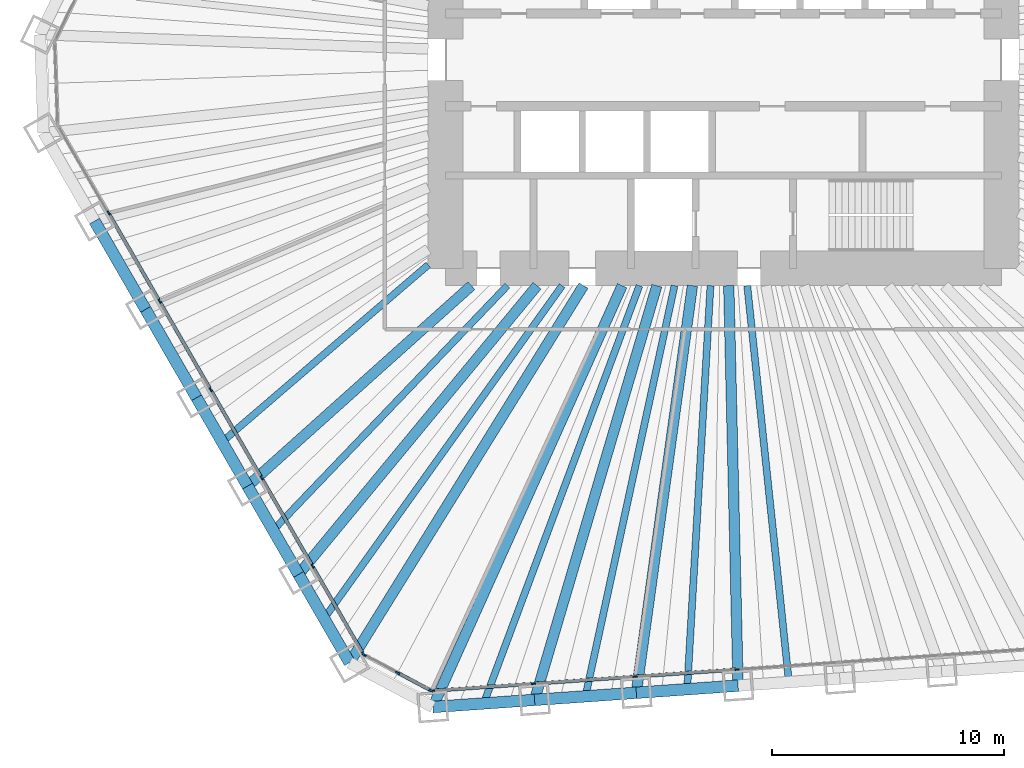
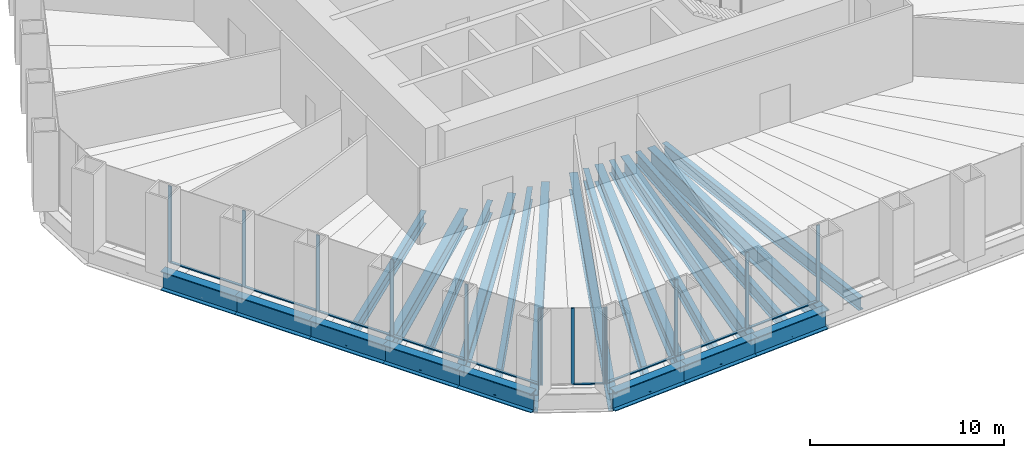
# One storey, part 2 of 13: 22 beams, 22 members, 3 elements without a shape of their own.
"""IFC4 building model written with IfcOpenShell, lengths in metres."""

from ifc_helpers import new_model, si_unit, direction, frame, origin, origin_2d, place, context, subcontext, project, spatial, rectangle, i_section, extrude, material, material_profile, profile_set, type_object, element, aggregate, save


model = new_model("IFC4")

# Units and contexts
model_context = context("Model", 3, precision=1e-05, world=origin(), true_north=direction((0.0, 1.0)))
body_context = subcontext(model_context, "Body", "Model", "MODEL_VIEW")
ifc_project = project(units=[si_unit("LENGTHUNIT", "METRE"), si_unit("AREAUNIT", "SQUARE_METRE"), si_unit("VOLUMEUNIT", "CUBIC_METRE"), si_unit("PLANEANGLEUNIT", "RADIAN"), si_unit("MASSUNIT", "GRAM", prefix="KILO")], contexts=[model_context])

# Site, building, storey
site_placement = place(None, origin())
site = spatial("IfcSite", under=ifc_project, at=site_placement, CompositionType="ELEMENT")
building_placement = place(site_placement, origin())
building = spatial("IfcBuilding", under=site, at=building_placement, Name="Qingtian Harvest Tower", CompositionType="ELEMENT")
storey_placement = place(building_placement, frame((0.0, 0.0, 37.0)))
storey = spatial("IfcBuildingStorey", under=building, at=storey_placement, Name="L07", CompositionType="ELEMENT", Elevation=37.0)

# Beams
ifc_material_1 = material(Name="Steel SM570MC", Category="steel")
ifc_material_profile_1 = material_profile(ifc_material_1, i_section(OverallWidth=0.449951171875, OverallDepth=1.10009765625, WebThickness=0.02197265625, FlangeThickness=0.044921875, at=origin_2d()), Name="H1100x450x22x45")
ifc_profile_set_1 = profile_set([ifc_material_profile_1], Name="Steel SM570MC")
beam_type_1 = type_object("IfcBeamType", Name="Corner floor beam FB8 H1100x450x22x45", PredefinedType="BEAM", material=ifc_profile_set_1)
beam_1_placement = place(storey_placement, frame((-12.552734375, -27.943603515625, -0.75), z_axis=(0.409769605538, 0.912189054077, 0.0), x_axis=(-0.912189054077, 0.409769605538, 0.0)))
element("IfcBeam", 1, at=beam_1_placement, inside=storey, type_object=beam_type_1, Name="Floor beam FB8 S6", PredefinedType="BEAM", context=body_context, shape_type="SweptSolid", body=[
    extrude(i_section(OverallWidth=0.449951171875, OverallDepth=1.10009765625, WebThickness=0.02197265625, FlangeThickness=0.044921875, at=origin_2d()), origin(), (0.0, 0.0, 1.0), 19.945068359375),
])
beam_2_placement = place(storey_placement, frame((-16.14697265625, -26.03271484375, -0.75), z_axis=(0.5270935495, 0.849807266429, 0.0), x_axis=(-0.849807266429, 0.5270935495, 0.0)))
element("IfcBeam", 2, at=beam_2_placement, inside=storey, type_object=beam_type_1, Name="Floor beam FB8 SW0", PredefinedType="BEAM", context=body_context, shape_type="SweptSolid", body=[
    extrude(i_section(OverallWidth=0.449951171875, OverallDepth=1.10009765625, WebThickness=0.02197265625, FlangeThickness=0.044921875, at=origin_2d()), origin(), (0.0, 0.0, 1.0), 19.160400390625),
])
ifc_material_2 = material(Name="Steel SM570MC", Category="steel")
ifc_material_profile_2 = material_profile(ifc_material_2, i_section(OverallWidth=0.449951171875, OverallDepth=1.10009765625, WebThickness=0.02197265625, FlangeThickness=0.044921875, at=origin_2d()), Name="H1100x450x22x45")
ifc_profile_set_2 = profile_set([ifc_material_profile_2], Name="Steel SM570MC")
beam_type_2 = type_object("IfcBeamType", Name="Floor beam FB1 H1100x450x22x45", PredefinedType="BEAM", material=ifc_profile_set_2)
beam_3_placement = place(storey_placement, frame((0.62890625, -27.02197265625, -0.75), z_axis=(-0.023274161941, 0.999729120005, 0.0), x_axis=(-0.999729120005, -0.023274161941, 0.0)))
element("IfcBeam", 3, at=beam_3_placement, inside=storey, type_object=beam_type_2, Name="Floor beam FB1 S3", PredefinedType="BEAM", context=body_context, shape_type="SweptSolid", body=[
    extrude(i_section(OverallWidth=0.449951171875, OverallDepth=1.10009765625, WebThickness=0.02197265625, FlangeThickness=0.044921875, at=origin_2d()), origin(), (0.0, 0.0, 1.0), 17.276611328125),
])
beam_4_placement = place(storey_placement, frame((-3.76513671875, -27.3291015625, -0.75), z_axis=(0.136480966577, 0.990642693287, 0.0), x_axis=(-0.990642693287, 0.136480966577, 0.0)))
element("IfcBeam", 4, at=beam_4_placement, inside=storey, type_object=beam_type_2, Name="Floor beam FB1 S4", PredefinedType="BEAM", context=body_context, shape_type="SweptSolid", body=[
    extrude(i_section(OverallWidth=0.449951171875, OverallDepth=1.10009765625, WebThickness=0.02197265625, FlangeThickness=0.044921875, at=origin_2d()), origin(), (0.0, 0.0, 1.0), 17.7451171875),
])
beam_5_placement = place(storey_placement, frame((-8.158935546875, -27.636474609375, -0.75), z_axis=(0.283142824758, 0.95907775534, 0.0), x_axis=(-0.95907775534, 0.283142824758, 0.0)))
element("IfcBeam", 5, at=beam_5_placement, inside=storey, type_object=beam_type_2, Name="Floor beam FB1 S5", PredefinedType="BEAM", context=body_context, shape_type="SweptSolid", body=[
    extrude(i_section(OverallWidth=0.449951171875, OverallDepth=1.10009765625, WebThickness=0.02197265625, FlangeThickness=0.044921875, at=origin_2d()), origin(), (0.0, 0.0, 1.0), 18.649658203125),
])
beam_6_placement = place(storey_placement, frame((-18.349365234375, -22.21826171875, -0.75), z_axis=(0.636780387972, 0.771045224026, 0.0), x_axis=(-0.771045224026, 0.636780387972, 0.0)))
element("IfcBeam", 6, at=beam_6_placement, inside=storey, type_object=beam_type_2, Name="Floor beam FB1 SW1", PredefinedType="BEAM", context=body_context, shape_type="SweptSolid", body=[
    extrude(i_section(OverallWidth=0.449951171875, OverallDepth=1.10009765625, WebThickness=0.02197265625, FlangeThickness=0.044921875, at=origin_2d()), origin(), (0.0, 0.0, 1.0), 16.170654296875),
])
beam_7_placement = place(storey_placement, frame((-20.551513671875, -18.403564453125, -0.75), z_axis=(0.744965104975, 0.667103434536, 0.0), x_axis=(-0.667103434536, 0.744965104975, 0.0)))
element("IfcBeam", 7, at=beam_7_placement, inside=storey, type_object=beam_type_2, Name="Floor beam FB1 SW2", PredefinedType="BEAM", context=body_context, shape_type="SweptSolid", body=[
    extrude(i_section(OverallWidth=0.449951171875, OverallDepth=1.10009765625, WebThickness=0.02197265625, FlangeThickness=0.044921875, at=origin_2d()), origin(), (0.0, 0.0, 1.0), 12.971923828125),
])
ifc_material_3 = material(Name="Steel SN490B", Category="steel")
ifc_material_profile_3 = material_profile(ifc_material_3, i_section(OverallWidth=0.300048828125, OverallDepth=0.800048828125, WebThickness=0.013916015625, FlangeThickness=0.02587890625, at=origin_2d()), Name="H800x300x14x26")
ifc_profile_set_3 = profile_set([ifc_material_profile_3], Name="Steel SN490B")
beam_type_3 = type_object("IfcBeamType", Name="Floor joist J1 H800x300x14x26", PredefinedType="JOIST", material=ifc_profile_set_3)
beam_8_placement = place(storey_placement, frame((2.82568359375, -26.868408203125, -0.60009765625), z_axis=(-0.104590278152, 0.99451539642, 0.0), x_axis=(-0.99451539642, -0.104590278152, 0.0)))
element("IfcBeam", 8, at=beam_8_placement, inside=storey, type_object=beam_type_3, Name="Floor joist J1 S2", PredefinedType="JOIST", context=body_context, shape_type="SweptSolid", body=[
    extrude(i_section(OverallWidth=0.300048828125, OverallDepth=0.800048828125, WebThickness=0.013916015625, FlangeThickness=0.02587890625, at=origin_2d()), origin(), (0.0, 0.0, 1.0), 17.212890625),
])
beam_9_placement = place(storey_placement, frame((-1.568115234375, -27.175537109375, -0.60009765625), z_axis=(0.057613424947, 0.998338967118, 0.0), x_axis=(-0.998338967118, 0.057613424947, 0.0)))
element("IfcBeam", 9, at=beam_9_placement, inside=storey, type_object=beam_type_3, Name="Floor joist J1 S3", PredefinedType="JOIST", context=body_context, shape_type="SweptSolid", body=[
    extrude(i_section(OverallWidth=0.300048828125, OverallDepth=0.800048828125, WebThickness=0.013916015625, FlangeThickness=0.02587890625, at=origin_2d()), origin(), (0.0, 0.0, 1.0), 17.45458984375),
])
beam_10_placement = place(storey_placement, frame((-5.9619140625, -27.48291015625, -0.60009765625), z_axis=(0.211992805661, 0.977271226604, 0.0), x_axis=(-0.977271226604, 0.211992805661, 0.0)))
element("IfcBeam", 10, at=beam_10_placement, inside=storey, type_object=beam_type_3, Name="Floor joist J1 S4", PredefinedType="JOIST", context=body_context, shape_type="SweptSolid", body=[
    extrude(i_section(OverallWidth=0.300048828125, OverallDepth=0.800048828125, WebThickness=0.013916015625, FlangeThickness=0.02587890625, at=origin_2d()), origin(), (0.0, 0.0, 1.0), 18.145263671875),
])
beam_11_placement = place(storey_placement, frame((-10.35595703125, -27.7900390625, -0.60009765625), z_axis=(0.349193741063, 0.937050548905, 0.0), x_axis=(-0.937050548905, 0.349193741063, 0.0)))
element("IfcBeam", 11, at=beam_11_placement, inside=storey, type_object=beam_type_3, Name="Floor joist J1 S5", PredefinedType="JOIST", context=body_context, shape_type="SweptSolid", body=[
    extrude(i_section(OverallWidth=0.300048828125, OverallDepth=0.800048828125, WebThickness=0.013916015625, FlangeThickness=0.02587890625, at=origin_2d()), origin(), (0.0, 0.0, 1.0), 19.251953125),
])
beam_12_placement = place(storey_placement, frame((-17.248046875, -24.12548828125, -0.60009765625), z_axis=(0.581580544546, 0.81348882611, 0.0), x_axis=(-0.81348882611, 0.581580544546, 0.0)))
element("IfcBeam", 12, at=beam_12_placement, inside=storey, type_object=beam_type_3, Name="Floor joist J1 SW0", PredefinedType="JOIST", context=body_context, shape_type="SweptSolid", body=[
    extrude(i_section(OverallWidth=0.300048828125, OverallDepth=0.800048828125, WebThickness=0.013916015625, FlangeThickness=0.02587890625, at=origin_2d()), origin(), (0.0, 0.0, 1.0), 17.67138671875),
])
beam_13_placement = place(storey_placement, frame((-19.450439453125, -20.31103515625, -0.60009765625), z_axis=(0.691639144398, 0.722243237377, 0.0), x_axis=(-0.722243237377, 0.691639144398, 0.0)))
element("IfcBeam", 13, at=beam_13_placement, inside=storey, type_object=beam_type_3, Name="Floor joist J1 SW1", PredefinedType="JOIST", context=body_context, shape_type="SweptSolid", body=[
    extrude(i_section(OverallWidth=0.300048828125, OverallDepth=0.800048828125, WebThickness=0.013916015625, FlangeThickness=0.02587890625, at=origin_2d()), origin(), (0.0, 0.0, 1.0), 14.62255859375),
])
beam_14_placement = place(storey_placement, frame((-21.652587890625, -16.496337890625, -0.60009765625), z_axis=(0.758605680154, 0.651550014994, 0.0), x_axis=(-0.651550014994, 0.758605680154, 0.0)))
element("IfcBeam", 14, at=beam_14_placement, inside=storey, type_object=beam_type_3, Name="Floor joist J1 SW2", PredefinedType="JOIST", context=body_context, shape_type="SweptSolid", body=[
    extrude(i_section(OverallWidth=0.300048828125, OverallDepth=0.800048828125, WebThickness=0.013916015625, FlangeThickness=0.02587890625, at=origin_2d()), origin(), (0.0, 0.0, 1.0), 11.7353515625),
])

# Curtain wall, members
ifc_material_4 = material(Name="Bronze-anodised aluminium curtain wall", Category="aluminium")
curtain_wall_type = type_object("IfcCurtainWallType", Name="Curtain wall CW2 farm reception", PredefinedType="USERDEFINED", material=ifc_material_4)
curtain_wall_1_placement = place(storey_placement, origin())
curtain_wall_1 = element("IfcCurtainWall", 15, at=curtain_wall_1_placement, inside=storey, type_object=curtain_wall_type, Name="Curtain wall CW2 L07 S0-5", ObjectType="RECESSED CURTAIN WALL", PredefinedType="USERDEFINED")
ifc_material_5 = material(Name="Bronze-anodised aluminium mullion", Category="aluminium")
ifc_material_profile_4 = material_profile(ifc_material_5, rectangle(XDim=0.06494140625, YDim=0.199951171875, at=origin_2d()), Name="AL 65x200")
ifc_profile_set_4 = profile_set([ifc_material_profile_4], Name="Bronze-anodised aluminium mullion")
member_type_1 = type_object("IfcMemberType", Name="Mullion CWM 65x200", PredefinedType="MULLION", material=ifc_profile_set_4)
member_1_placement = place(storey_placement, frame((0.580078125, -26.32373046875, 0.0), z_axis=(0.0, 0.0, 1.0), x_axis=(0.069756473744, -0.99756405026, 0.0)))
member_1 = element("IfcMember", 16, at=member_1_placement, type_object=member_type_1, Name="CW2 mullion 4", PredefinedType="MULLION", context=body_context, shape_type="SweptSolid", body=[
    extrude(rectangle(XDim=0.06494140625, YDim=0.199951171875, at=origin_2d()), origin(), (0.0, 0.0, 1.0), 4.800048828125),
])
member_2_placement = place(storey_placement, frame((-3.81396484375, -26.630859375, 0.0), z_axis=(0.0, 0.0, 1.0), x_axis=(0.069756473744, -0.99756405026, 0.0)))
member_2 = element("IfcMember", 17, at=member_2_placement, type_object=member_type_1, Name="CW2 mullion 5", PredefinedType="MULLION", context=body_context, shape_type="SweptSolid", body=[
    extrude(rectangle(XDim=0.06494140625, YDim=0.199951171875, at=origin_2d()), origin(), (0.0, 0.0, 1.0), 4.800048828125),
])
member_3_placement = place(storey_placement, frame((-8.207763671875, -26.938232421875, 0.0), z_axis=(0.0, 0.0, 1.0), x_axis=(0.069756473744, -0.99756405026, 0.0)))
member_3 = element("IfcMember", 18, at=member_3_placement, type_object=member_type_1, Name="CW2 mullion 6", PredefinedType="MULLION", context=body_context, shape_type="SweptSolid", body=[
    extrude(rectangle(XDim=0.06494140625, YDim=0.199951171875, at=origin_2d()), origin(), (0.0, 0.0, 1.0), 4.800048828125),
])
member_4_placement = place(storey_placement, frame((-12.569091796875, -27.2431640625, 0.0), z_axis=(0.0, 0.0, 1.0), x_axis=(0.069756473744, -0.99756405026, 0.0)))
member_4 = element("IfcMember", 19, at=member_4_placement, type_object=member_type_1, Name="CW2 mullion 7", PredefinedType="MULLION", context=body_context, shape_type="SweptSolid", body=[
    extrude(rectangle(XDim=0.06494140625, YDim=0.199951171875, at=origin_2d()), origin(), (0.0, 0.0, 1.0), 4.800048828125),
])

curtain_wall_2_placement = place(storey_placement, origin())
curtain_wall_2 = element("IfcCurtainWall", 20, at=curtain_wall_2_placement, inside=storey, type_object=curtain_wall_type, Name="Curtain wall CW2 L07 SC", ObjectType="RECESSED CURTAIN WALL", PredefinedType="USERDEFINED")
member_5_placement = place(storey_placement, frame((-12.63037109375, -27.230224609375, 0.0), z_axis=(0.0, 0.0, 1.0), x_axis=(-0.469471562786, -0.882947592859, 0.0)))
member_5 = element("IfcMember", 21, at=member_5_placement, type_object=member_type_1, Name="CW2 mullion 1", PredefinedType="MULLION", context=body_context, shape_type="SweptSolid", body=[
    extrude(rectangle(XDim=0.06494140625, YDim=0.199951171875, at=origin_2d()), origin(), (0.0, 0.0, 1.0), 4.800048828125),
])
member_6_placement = place(storey_placement, frame((-14.0712890625, -26.464111328125, 0.0), z_axis=(0.0, 0.0, 1.0), x_axis=(-0.469471562786, -0.882947592859, 0.0)))
member_6 = element("IfcMember", 22, at=member_6_placement, type_object=member_type_1, Name="CW2 mullion 2", PredefinedType="MULLION", context=body_context, shape_type="SweptSolid", body=[
    extrude(rectangle(XDim=0.06494140625, YDim=0.199951171875, at=origin_2d()), origin(), (0.0, 0.0, 1.0), 4.800048828125),
])
member_7_placement = place(storey_placement, frame((-15.511962890625, -25.697998046875, 0.0), z_axis=(0.0, 0.0, 1.0), x_axis=(-0.469471562786, -0.882947592859, 0.0)))
member_7 = element("IfcMember", 23, at=member_7_placement, type_object=member_type_1, Name="CW2 mullion 3", PredefinedType="MULLION", context=body_context, shape_type="SweptSolid", body=[
    extrude(rectangle(XDim=0.06494140625, YDim=0.199951171875, at=origin_2d()), origin(), (0.0, 0.0, 1.0), 4.800048828125),
])

curtain_wall_3_placement = place(storey_placement, origin())
curtain_wall_3 = element("IfcCurtainWall", 24, at=curtain_wall_3_placement, inside=storey, type_object=curtain_wall_type, Name="Curtain wall CW2 L07 SW0-5", ObjectType="RECESSED CURTAIN WALL", PredefinedType="USERDEFINED")
member_8_placement = place(storey_placement, frame((-15.556884765625, -25.654541015625, 0.0), z_axis=(0.0, 0.0, 1.0), x_axis=(-0.866025403784, -0.5, 0.0)))
member_8 = element("IfcMember", 25, at=member_8_placement, type_object=member_type_1, Name="CW2 mullion 1", PredefinedType="MULLION", context=body_context, shape_type="SweptSolid", body=[
    extrude(rectangle(XDim=0.06494140625, YDim=0.199951171875, at=origin_2d()), origin(), (0.0, 0.0, 1.0), 4.800048828125),
])
member_9_placement = place(storey_placement, frame((-17.742919921875, -21.8681640625, 0.0), z_axis=(0.0, 0.0, 1.0), x_axis=(-0.866025403784, -0.5, 0.0)))
member_9 = element("IfcMember", 26, at=member_9_placement, type_object=member_type_1, Name="CW2 mullion 2", PredefinedType="MULLION", context=body_context, shape_type="SweptSolid", body=[
    extrude(rectangle(XDim=0.06494140625, YDim=0.199951171875, at=origin_2d()), origin(), (0.0, 0.0, 1.0), 4.800048828125),
])
member_10_placement = place(storey_placement, frame((-19.9453125, -18.0537109375, 0.0), z_axis=(0.0, 0.0, 1.0), x_axis=(-0.866025403784, -0.5, 0.0)))
member_10 = element("IfcMember", 27, at=member_10_placement, type_object=member_type_1, Name="CW2 mullion 3", PredefinedType="MULLION", context=body_context, shape_type="SweptSolid", body=[
    extrude(rectangle(XDim=0.06494140625, YDim=0.199951171875, at=origin_2d()), origin(), (0.0, 0.0, 1.0), 4.800048828125),
])
member_11_placement = place(storey_placement, frame((-22.147705078125, -14.2392578125, 0.0), z_axis=(0.0, 0.0, 1.0), x_axis=(-0.866025403784, -0.5, 0.0)))
member_11 = element("IfcMember", 28, at=member_11_placement, type_object=member_type_1, Name="CW2 mullion 4", PredefinedType="MULLION", context=body_context, shape_type="SweptSolid", body=[
    extrude(rectangle(XDim=0.06494140625, YDim=0.199951171875, at=origin_2d()), origin(), (0.0, 0.0, 1.0), 4.800048828125),
])
member_12_placement = place(storey_placement, frame((-24.349853515625, -10.424560546875, 0.0), z_axis=(0.0, 0.0, 1.0), x_axis=(-0.866025403784, -0.5, 0.0)))
member_12 = element("IfcMember", 29, at=member_12_placement, type_object=member_type_1, Name="CW2 mullion 5", PredefinedType="MULLION", context=body_context, shape_type="SweptSolid", body=[
    extrude(rectangle(XDim=0.06494140625, YDim=0.199951171875, at=origin_2d()), origin(), (0.0, 0.0, 1.0), 4.800048828125),
])
member_13_placement = place(storey_placement, frame((-26.55224609375, -6.610107421875, 0.0), z_axis=(0.0, 0.0, 1.0), x_axis=(-0.866025403784, -0.5, 0.0)))
member_13 = element("IfcMember", 30, at=member_13_placement, type_object=member_type_1, Name="CW2 mullion 6", PredefinedType="MULLION", context=body_context, shape_type="SweptSolid", body=[
    extrude(rectangle(XDim=0.06494140625, YDim=0.199951171875, at=origin_2d()), origin(), (0.0, 0.0, 1.0), 4.800048828125),
])

# Beams
ifc_material_6 = material(Name="Steel SM570MC", Category="steel")
ifc_material_profile_5 = material_profile(ifc_material_6, i_section(OverallWidth=0.5, OverallDepth=1.199951171875, WebThickness=0.02490234375, FlangeThickness=0.050048828125, at=origin_2d()), Name="H1200x500x25x50")
ifc_profile_set_5 = profile_set([ifc_material_profile_5], Name="Steel SM570MC")
beam_type_4 = type_object("IfcBeamType", Name="Spandrel beam SB1 H1200x500x25x50", PredefinedType="SPANDREL", material=ifc_profile_set_5)
beam_15_placement = place(storey_placement, frame((0.62890625, -27.02197265625, -0.60009765625), z_axis=(-0.997566143208, -0.069726536735, 0.0), x_axis=(0.069726536735, -0.997566143208, 0.0)))
element("IfcBeam", 31, at=beam_15_placement, inside=storey, type_object=beam_type_4, Name="Spandrel SB1 S3", PredefinedType="SPANDREL", context=body_context, shape_type="SweptSolid", body=[
    extrude(i_section(OverallWidth=0.5, OverallDepth=1.199951171875, WebThickness=0.02490234375, FlangeThickness=0.050048828125, at=origin_2d()), origin(), (0.0, 0.0, 1.0), 4.40478515625),
])
for number, where, z_axis, x_axis, name in (
    (32, (-3.76513671875, -27.3291015625, -0.60009765625), (-0.997562016486, -0.069785551967, 0.0), (0.069785551967, -0.997562016486, 0.0), "Spandrel SB1 S4"),
    (33, (-8.158935546875, -27.636474609375, -0.60009765625), (-0.997565873714, -0.069730392239, 0.0), (0.069730392239, -0.997565873714, 0.0), "Spandrel SB1 S5"),
    (34, (-16.14697265625, -26.03271484375, -0.60009765625), (-0.50001992892, 0.866013897511, 0.0), (-0.866013897511, -0.50001992892, 0.0), "Spandrel SB1 SW0"),
):
    element("IfcBeam", number, at=place(storey_placement, frame(where, z_axis=z_axis, x_axis=x_axis)), inside=storey, type_object=beam_type_4, Name=name, PredefinedType="SPANDREL", context=body_context, shape_type="SweptSolid", body=[
        extrude(i_section(OverallWidth=0.5, OverallDepth=1.199951171875, WebThickness=0.02490234375, FlangeThickness=0.050048828125, at=origin_2d()), origin(), (0.0, 0.0, 1.0), 4.404541015625),
    ])
beam_16_placement = place(storey_placement, frame((-18.349365234375, -22.21826171875, -0.60009765625), z_axis=(-0.499954356739, 0.86605175433, 0.0), x_axis=(-0.86605175433, -0.499954356739, 0.0)))
element("IfcBeam", 35, at=beam_16_placement, inside=storey, type_object=beam_type_4, Name="Spandrel SB1 SW1", PredefinedType="SPANDREL", context=body_context, shape_type="SweptSolid", body=[
    extrude(i_section(OverallWidth=0.5, OverallDepth=1.199951171875, WebThickness=0.02490234375, FlangeThickness=0.050048828125, at=origin_2d()), origin(), (0.0, 0.0, 1.0), 4.40478515625),
])
for number, where, z_axis, x_axis, name in (
    (36, (-20.551513671875, -18.403564453125, -0.60009765625), (-0.50001992892, 0.866013897511, 0.0), (-0.866013897511, -0.50001992892, 0.0), "Spandrel SB1 SW2"),
    (37, (-22.75390625, -14.589111328125, -0.60009765625), (-0.499978356969, 0.866037899034, 0.0), (-0.866037899034, -0.499978356969, 0.0), "Spandrel SB1 SW3"),
    (38, (-24.9560546875, -10.774658203125, -0.60009765625), (-0.50001992892, 0.866013897511, 0.0), (-0.866013897511, -0.50001992892, 0.0), "Spandrel SB1 SW4"),
):
    element("IfcBeam", number, at=place(storey_placement, frame(where, z_axis=z_axis, x_axis=x_axis)), inside=storey, type_object=beam_type_4, Name=name, PredefinedType="SPANDREL", context=body_context, shape_type="SweptSolid", body=[
        extrude(i_section(OverallWidth=0.5, OverallDepth=1.199951171875, WebThickness=0.02490234375, FlangeThickness=0.050048828125, at=origin_2d()), origin(), (0.0, 0.0, 1.0), 4.404541015625),
    ])

# Member
ifc_material_7 = material(Name="Bronze-anodised aluminium transom", Category="aluminium")
ifc_material_profile_6 = material_profile(ifc_material_7, rectangle(XDim=0.14990234375, YDim=0.06494140625, at=origin_2d()), Name="AL 65x150")
ifc_profile_set_6 = profile_set([ifc_material_profile_6], Name="Bronze-anodised aluminium transom")
member_type_2 = type_object("IfcMemberType", Name="Transom CWT 65x150", PredefinedType="USERDEFINED", material=ifc_profile_set_6)
member_14_placement = place(storey_placement, frame((0.547607421875, -26.325927734375, 0.032470703125), z_axis=(-0.997563824095, -0.069759707979, 0.0), x_axis=(0.069759707979, -0.997563824095, 0.0)))
member_14 = element("IfcMember", 39, at=member_14_placement, type_object=member_type_2, Name="CW2 transom 4.1", ObjectType="TRANSOM", PredefinedType="USERDEFINED", context=body_context, shape_type="SweptSolid", body=[
    extrude(rectangle(XDim=0.14990234375, YDim=0.06494140625, at=origin_2d()), origin(), (0.0, 0.0, 1.0), 4.339599609375),
])

member_15_placement = place(storey_placement, frame((-3.84619140625, -26.63330078125, 0.032470703125), z_axis=(-0.997567737508, -0.069703723594, 0.0), x_axis=(0.069703723594, -0.997567737508, 0.0)))
member_15 = element("IfcMember", 40, at=member_15_placement, type_object=member_type_2, Name="CW2 transom 5.1", ObjectType="TRANSOM", PredefinedType="USERDEFINED", context=body_context, shape_type="SweptSolid", body=[
    extrude(rectangle(XDim=0.14990234375, YDim=0.06494140625, at=origin_2d()), origin(), (0.0, 0.0, 1.0), 4.339599609375),
])

member_16_placement = place(storey_placement, frame((-8.240234375, -26.9404296875, 0.032470703125), z_axis=(-0.997562637827, -0.069776669536, 0.0), x_axis=(0.069776669536, -0.997562637827, 0.0)))
member_16 = element("IfcMember", 41, at=member_16_placement, type_object=member_type_2, Name="CW2 transom 6.1", ObjectType="TRANSOM", PredefinedType="USERDEFINED", context=body_context, shape_type="SweptSolid", body=[
    extrude(rectangle(XDim=0.14990234375, YDim=0.06494140625, at=origin_2d()), origin(), (0.0, 0.0, 1.0), 4.30712890625),
])

aggregate(curtain_wall_1, [member_1, member_2, member_3, member_4, member_14, member_15, member_16])

member_17_placement = place(storey_placement, frame((-12.658935546875, -27.21484375, 0.032470703125), z_axis=(-0.882960338349, 0.46944759122, 0.0), x_axis=(-0.46944759122, -0.882960338349, 0.0)))
member_17 = element("IfcMember", 42, at=member_17_placement, type_object=member_type_2, Name="CW2 transom 1.1", ObjectType="TRANSOM", PredefinedType="USERDEFINED", context=body_context, shape_type="SweptSolid", body=[
    extrude(rectangle(XDim=0.14990234375, YDim=0.06494140625, at=origin_2d()), origin(), (0.0, 0.0, 1.0), 1.56689453125),
])

aggregate(curtain_wall_2, [member_5, member_6, member_7, member_17])

member_18_placement = place(storey_placement, frame((-15.5732421875, -25.62646484375, 0.032470703125), z_axis=(-0.499985768833, 0.866033619997, 0.0), x_axis=(-0.866033619997, -0.499985768833, 0.0)))
member_18 = element("IfcMember", 43, at=member_18_placement, type_object=member_type_2, Name="CW2 transom 1.1", ObjectType="TRANSOM", PredefinedType="USERDEFINED", context=body_context, shape_type="SweptSolid", body=[
    extrude(rectangle(XDim=0.14990234375, YDim=0.06494140625, at=origin_2d()), origin(), (0.0, 0.0, 1.0), 4.307373046875),
])

member_19_placement = place(storey_placement, frame((-17.75927734375, -21.840087890625, 0.032470703125), z_axis=(-0.500011390128, 0.866018827591, 0.0), x_axis=(-0.866018827591, -0.500011390128, 0.0)))
member_19 = element("IfcMember", 44, at=member_19_placement, type_object=member_type_2, Name="CW2 transom 2.1", ObjectType="TRANSOM", PredefinedType="USERDEFINED", context=body_context, shape_type="SweptSolid", body=[
    extrude(rectangle(XDim=0.14990234375, YDim=0.06494140625, at=origin_2d()), origin(), (0.0, 0.0, 1.0), 4.33984375),
])

member_20_placement = place(storey_placement, frame((-19.961669921875, -18.025634765625, 0.032470703125), z_axis=(-0.499969196308, 0.866043187574, 0.0), x_axis=(-0.866043187574, -0.499969196308, 0.0)))
member_20 = element("IfcMember", 45, at=member_20_placement, type_object=member_type_2, Name="CW2 transom 3.1", ObjectType="TRANSOM", PredefinedType="USERDEFINED", context=body_context, shape_type="SweptSolid", body=[
    extrude(rectangle(XDim=0.14990234375, YDim=0.06494140625, at=origin_2d()), origin(), (0.0, 0.0, 1.0), 4.339599609375),
])

member_21_placement = place(storey_placement, frame((-22.163818359375, -14.2109375, 0.032470703125), z_axis=(-0.500035751442, 0.866004761696, 0.0), x_axis=(-0.866004761696, -0.500035751442, 0.0)))
member_21 = element("IfcMember", 46, at=member_21_placement, type_object=member_type_2, Name="CW2 transom 4.1", ObjectType="TRANSOM", PredefinedType="USERDEFINED", context=body_context, shape_type="SweptSolid", body=[
    extrude(rectangle(XDim=0.14990234375, YDim=0.06494140625, at=origin_2d()), origin(), (0.0, 0.0, 1.0), 4.339599609375),
])

member_22_placement = place(storey_placement, frame((-24.3662109375, -10.396484375, 0.032470703125), z_axis=(-0.499993556937, 0.866029123656, 0.0), x_axis=(-0.866029123656, -0.499993556937, 0.0)))
member_22 = element("IfcMember", 47, at=member_22_placement, type_object=member_type_2, Name="CW2 transom 5.1", ObjectType="TRANSOM", PredefinedType="USERDEFINED", context=body_context, shape_type="SweptSolid", body=[
    extrude(rectangle(XDim=0.14990234375, YDim=0.06494140625, at=origin_2d()), origin(), (0.0, 0.0, 1.0), 4.33935546875),
])

aggregate(curtain_wall_3, [member_8, member_9, member_10, member_11, member_12, member_13, member_18, member_19, member_20, member_21, member_22])

save(model, "model.ifc")
